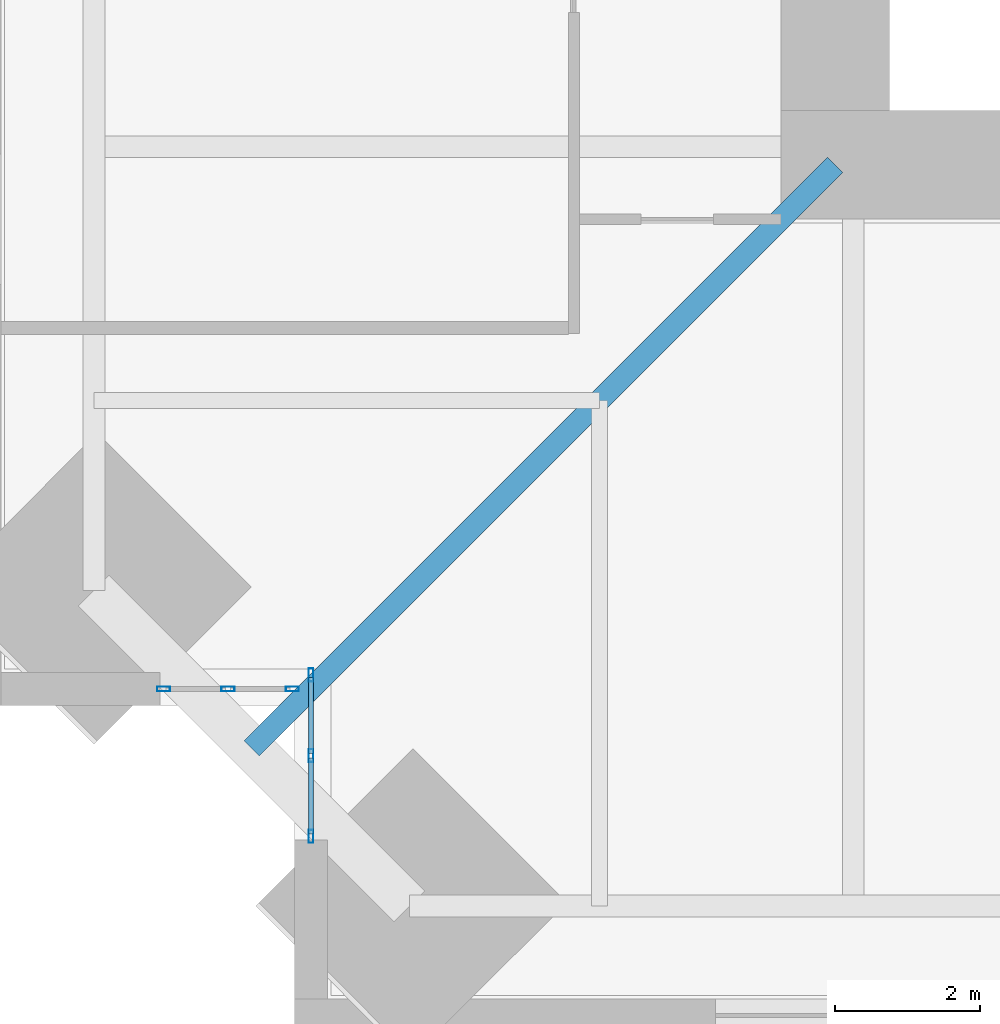
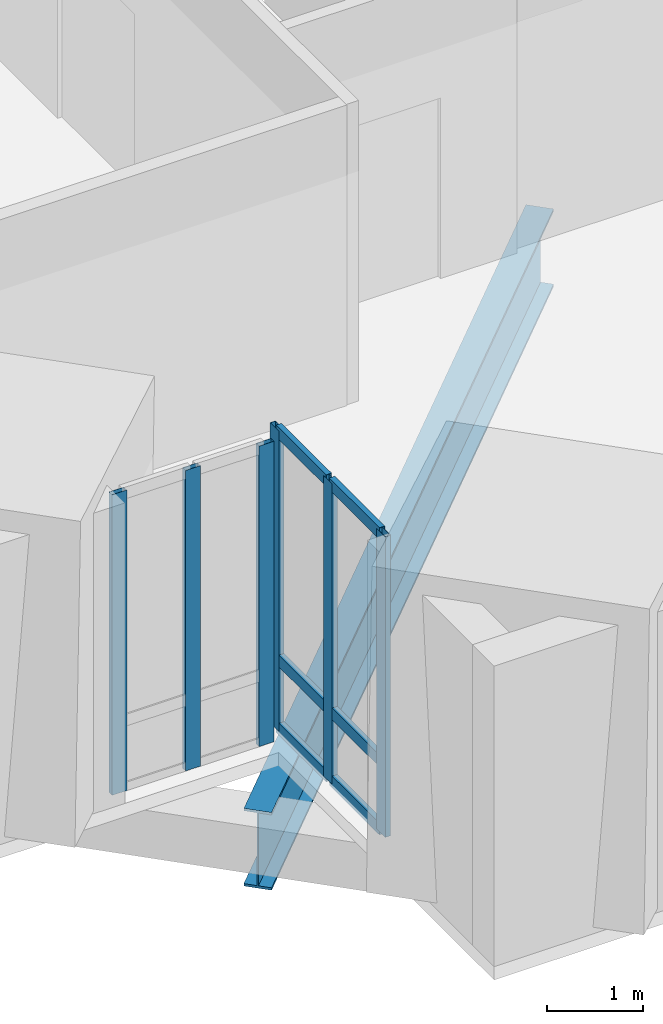
# One storey, part 2 of 15: 12 members, 1 beam, 2 elements without a shape of their own.
"""IFC4 building model written with IfcOpenShell, lengths in metres."""

import ifcopenshell
import ifcopenshell.guid

model = None  # the IFC model being written
_history = None  # IfcOwnerHistory: only IFC2X3 demands one
_inside = {}  # id of a spatial element -> (the spatial element, [elements in it])
_under = {}  # id of a project, library or spatial element -> (it, [spatial elements below it])
_declared = {}  # id of a project -> (the project, [libraries it declares])
_typed = {}  # id of a type object -> (the type object, [elements of that type])
_made_of = {}  # id of a material, layer set ... -> (it, [elements and type objects made of it])


def new_model(schema):
    """Start an empty IFC model of exactly this schema.

    Asked for "IFC4X3", IfcOpenShell would pick the latest addendum, in which some entities
    have other attributes; the version numbers below select the first issue.
    IFC2X3 requires an IfcOwnerHistory on every rooted entity: one is made here for all.
    """
    global model, _history
    if schema == "IFC4X3":
        model = ifcopenshell.file(schema_version=(4, 3, 0, 0))
    else:
        model = ifcopenshell.file(schema=schema)
    _inside.clear()
    _under.clear()
    _declared.clear()
    _typed.clear()
    _made_of.clear()
    _history = None
    if model.schema == "IFC2X3":
        org = make("IfcOrganization", Name="unknown")
        user = make(
            "IfcPersonAndOrganization",
            ThePerson=make("IfcPerson", FamilyName="unknown"),
            TheOrganization=org,
        )
        app = make(
            "IfcApplication",
            ApplicationDeveloper=org,
            Version="unknown",
            ApplicationFullName="unknown",
            ApplicationIdentifier="unknown",
        )
        _history = make(
            "IfcOwnerHistory",
            OwningUser=user,
            OwningApplication=app,
            ChangeAction="ADDED",
            CreationDate=0,
        )
    return model


def make(cls, **values):
    """One entity of the class cls with the attributes given. An attribute that is None is left unset."""
    return model.create_entity(
        cls, **{name: value for name, value in values.items() if value is not None}
    )


def rooted(cls, **values):
    """An entity with a GlobalId (a new one), such as an element, a storey or a relation."""
    return make(cls, GlobalId=ifcopenshell.guid.new(), OwnerHistory=_history, **values)


def si_unit(unit_type, name, prefix=None):
    """IfcSIUnit, for example si_unit("LENGTHUNIT", "METRE", prefix="MILLI")."""
    return make("IfcSIUnit", UnitType=unit_type, Prefix=prefix, Name=name)


def assignment(units):
    """IfcUnitAssignment: the units of a project."""
    return None if units is None else make("IfcUnitAssignment", Units=units)


def point(xyz):
    """IfcCartesianPoint."""
    return None if xyz is None else make("IfcCartesianPoint", Coordinates=xyz)


def direction(xyz):
    """IfcDirection."""
    return None if xyz is None else make("IfcDirection", DirectionRatios=xyz)


def frame(location, z_axis=None, x_axis=None):
    """IfcAxis2Placement3D, a coordinate frame: its origin and axes. An axis left out is left unset."""
    return make(
        "IfcAxis2Placement3D",
        Location=point(location),
        Axis=direction(z_axis),
        RefDirection=direction(x_axis),
    )


def frame_2d(location, x_axis=None):
    """IfcAxis2Placement2D, a coordinate frame in the plane: its origin and x axis."""
    return make(
        "IfcAxis2Placement2D", Location=point(location), RefDirection=direction(x_axis)
    )


def origin():
    """The frame at (0, 0, 0) with its axes left unset."""
    return frame((0.0, 0.0, 0.0))


def origin_2d():
    """The frame at (0, 0) in the plane with its x axis left unset."""
    return frame_2d((0.0, 0.0))


def place(relative_to, where):
    """IfcLocalPlacement: puts the frame where relative to a parent placement (None: the world)."""
    return make(
        "IfcLocalPlacement", PlacementRelTo=relative_to, RelativePlacement=where
    )


def context(
    kind, dimensions, precision=None, world=None, true_north=None, identifier=None
):
    """IfcGeometricRepresentationContext, for example the 3D "Model" context."""
    return make(
        "IfcGeometricRepresentationContext",
        ContextIdentifier=identifier,
        ContextType=kind,
        CoordinateSpaceDimension=dimensions,
        Precision=precision,
        WorldCoordinateSystem=world,
        TrueNorth=true_north,
    )


def subcontext(parent, identifier, kind, view, scale=None):
    """IfcGeometricRepresentationSubContext, for example "Body" below "Model"."""
    return make(
        "IfcGeometricRepresentationSubContext",
        ContextIdentifier=identifier,
        ContextType=kind,
        ParentContext=parent,
        TargetScale=scale,
        TargetView=view,
    )


def project(units=None, contexts=None):
    """IfcProject with its units and contexts."""
    return rooted(
        "IfcProject",
        Name="project",
        RepresentationContexts=contexts,
        UnitsInContext=assignment(units),
    )


def spatial(cls, under=None, at=None, **own):
    """A site, building, storey or space (cls), placed at a placement, below another one or the project."""
    s = rooted(cls, ObjectPlacement=at, **own)
    if under is not None:
        _under.setdefault(under.id(), (under, []))[1].append(s)
    return s


def profile(cls, at=None, kind="AREA", **sizes):
    """A parametric profile (cls). Its sizes go by their IFC names, for example OverallWidth=200.0."""
    return make(cls, ProfileType=kind, Position=at, **sizes)


def hollow_rectangle(**sizes):
    """IfcRectangleHollowProfileDef."""
    return profile("IfcRectangleHollowProfileDef", **sizes)


def i_section(**sizes):
    """IfcIShapeProfileDef."""
    return profile("IfcIShapeProfileDef", **sizes)


def extrude(swept, where, along, depth):
    """IfcExtrudedAreaSolid: the profile swept, set in the frame where, extruded along a direction by depth."""
    return make(
        "IfcExtrudedAreaSolid",
        SweptArea=swept,
        Position=where,
        ExtrudedDirection=direction(along),
        Depth=depth,
    )


def shape(context_of_items, identifier, shape_type, items):
    """IfcShapeRepresentation: the items that make up one representation, for example the "Body"."""
    return make(
        "IfcShapeRepresentation",
        ContextOfItems=context_of_items,
        RepresentationIdentifier=identifier,
        RepresentationType=shape_type,
        Items=items,
    )


def material(Name=None, Category=None):
    """IfcMaterial."""
    return make("IfcMaterial", Name=Name, Category=Category)


def material_profile(
    of_material, cross_section, Name=None, Category=None, Priority=None
):
    """IfcMaterialProfile: a cross section and its material."""
    return make(
        "IfcMaterialProfile",
        Name=Name,
        Material=of_material,
        Profile=cross_section,
        Priority=Priority,
        Category=Category,
    )


def profile_set(profiles, Name=None, composite=None):
    """IfcMaterialProfileSet."""
    return make(
        "IfcMaterialProfileSet",
        Name=Name,
        MaterialProfiles=profiles,
        CompositeProfile=composite,
    )


def made_of(thing, what):
    """Note that an element or type object is made of a material, layer set ...; save() writes the relation."""
    if what is not None:
        _made_of.setdefault(what.id(), (what, []))[1].append(thing)
    return thing


def type_object(cls, material=None, **own):
    """A type object (cls), such as IfcWallType, which elements share."""
    return made_of(rooted(cls, **own), material)


def element(
    cls,
    number,
    at=None,
    inside=None,
    cuts=None,
    type_object=None,
    material=None,
    context=None,
    identifier="Body",
    shape_type=None,
    held_by="IfcProductDefinitionShape",
    body=None,
    shapes=None,
    **own,
):
    """One element of the class cls, such as IfcWall. Its Tag is "e" and its number.

    at: its placement. inside: the storey or other place that contains it. cuts: it is an
    opening in that element (IfcRelVoidsElement). A single representation is given by context,
    identifier, shape_type and body (its items); several are given by shapes. held_by: the class
    of the entity that holds the representations. save() writes the other relations.
    """
    e = rooted(cls, Tag="e%d" % number, ObjectPlacement=at, **own)
    if body is not None:
        shapes = [shape(context, identifier, shape_type, body)]
    if shapes is not None:
        e.Representation = make(held_by, Representations=shapes)
    if inside is not None:
        _inside.setdefault(inside.id(), (inside, []))[1].append(e)
    if cuts is not None:
        rooted(
            "IfcRelVoidsElement", RelatingBuildingElement=cuts, RelatedOpeningElement=e
        )
    if type_object is not None:
        _typed.setdefault(type_object.id(), (type_object, []))[1].append(e)
    return made_of(e, material)


def aggregate(whole, parts):
    """IfcRelAggregates: a whole, such as a stair, and the parts it consists of."""
    return rooted("IfcRelAggregates", RelatingObject=whole, RelatedObjects=parts)


def save(model, path):
    """Write the relations noted so far, then the file.

    IfcRelAggregates (storeys below a building ...), IfcRelContainedInSpatialStructure (elements
    in a storey), IfcRelDefinesByType, IfcRelAssociatesMaterial and IfcRelDeclares: one each for
    every whole, place, type object, material and project.
    """
    for whole, parts in _under.values():
        aggregate(whole, parts)
    for where, things in _inside.values():
        rooted(
            "IfcRelContainedInSpatialStructure",
            RelatedElements=things,
            RelatingStructure=where,
        )
    for kind, things in _typed.values():
        rooted("IfcRelDefinesByType", RelatedObjects=things, RelatingType=kind)
    for what, things in _made_of.values():
        rooted("IfcRelAssociatesMaterial", RelatedObjects=things, RelatingMaterial=what)
    for by, libraries in _declared.values():
        rooted("IfcRelDeclares", RelatingContext=by, RelatedDefinitions=libraries)
    model.write(path)


model = new_model("IFC4")

# Units and contexts
model_context = context("Model", 3, precision=1e-05, world=origin(), true_north=direction((0.0, 1.0)))
body_context = subcontext(model_context, "Body", "Model", "MODEL_VIEW")
ifc_project = project(units=[si_unit("LENGTHUNIT", "METRE"), si_unit("AREAUNIT", "SQUARE_METRE"), si_unit("VOLUMEUNIT", "CUBIC_METRE"), si_unit("PLANEANGLEUNIT", "RADIAN"), si_unit("MASSUNIT", "GRAM", prefix="KILO")], contexts=[model_context])

# Site, building, storey
site_placement = place(None, origin())
site = spatial("IfcSite", under=ifc_project, at=site_placement, CompositionType="ELEMENT")
building_placement = place(site_placement, origin())
building = spatial("IfcBuilding", under=site, at=building_placement, Name="Peilmerk Tower", CompositionType="ELEMENT")
storey_placement = place(building_placement, frame((0.0, 0.0, 233.800048828125)))
storey = spatial("IfcBuildingStorey", under=building, at=storey_placement, Name="L51", CompositionType="ELEMENT", Elevation=233.800048828125)

# Beam
ifc_material_1 = material(Name="Steel S355", Category="steel")
ifc_material_profile_1 = material_profile(ifc_material_1, i_section(OverallWidth=0.300048828125, OverallDepth=0.989990234375, WebThickness=0.0166015625, FlangeThickness=0.031005859375, at=origin_2d()), Name="HEA 1000")
ifc_profile_set_1 = profile_set([ifc_material_profile_1], Name="Steel S355")
beam_type = type_object("IfcBeamType", Name="B14 HEA 1000 floor girder", PredefinedType="BEAM", material=ifc_profile_set_1)
beam_placement = place(storey_placement, frame((-11.25, -11.25, -0.6650390625), z_axis=(-0.707106781187, -0.707106781187, 0.0), x_axis=(0.707106781187, -0.707106781187, 0.0)))
element("IfcBeam", 1, at=beam_placement, inside=storey, type_object=beam_type, Name="Corner girder L51", PredefinedType="BEAM", context=body_context, shape_type="SweptSolid", body=[
    extrude(i_section(OverallWidth=0.300048828125, OverallDepth=0.989990234375, WebThickness=0.0166015625, FlangeThickness=0.031005859375, at=origin_2d()), origin(), (0.0, 0.0, 1.0), 11.37646484375),
])

# Curtain wall, members
ifc_material_2 = material(Name="Aluminium stick curtain wall", Category="aluminium")
curtain_wall_type = type_object("IfcCurtainWallType", Name="CW4 stick curtain wall, 2250 module", PredefinedType="NOTDEFINED", material=ifc_material_2)
curtain_wall_1_placement = place(storey_placement, origin())
curtain_wall_1 = element("IfcCurtainWall", 2, at=curtain_wall_1_placement, inside=storey, type_object=curtain_wall_type, Name="Curtain wall CW4 SWA L51", PredefinedType="NOTDEFINED")
ifc_material_3 = material(Name="Aluminium EN AW-6063 T6", Category="aluminium")
ifc_material_profile_2 = material_profile(ifc_material_3, hollow_rectangle(XDim=0.06494140625, YDim=0.179931640625, WallThickness=0.0029296875, at=origin_2d()), Name="AL 180x65x3")
ifc_profile_set_2 = profile_set([ifc_material_profile_2], Name="Aluminium EN AW-6063 T6")
member_type_1 = type_object("IfcMemberType", Name="CW4-M AL 180x65x3 mullion", PredefinedType="MULLION", material=ifc_profile_set_2)
member_1_placement = place(storey_placement, frame((-18.47509765625, -18.282470703125, 0.0), z_axis=(0.0, 0.0, 1.0), x_axis=(1.0, 0.0, 0.0)))
member_1 = element("IfcMember", 3, at=member_1_placement, type_object=member_type_1, Name="CW4 mullion 1", PredefinedType="MULLION", context=body_context, shape_type="SweptSolid", body=[
    extrude(hollow_rectangle(XDim=0.06494140625, YDim=0.179931640625, WallThickness=0.0029296875, at=origin_2d()), origin(), (0.0, 0.0, 1.0), 3.829833984375),
])
member_2_placement = place(storey_placement, frame((-18.47509765625, -19.394287109375, 0.0), z_axis=(0.0, 0.0, 1.0), x_axis=(1.0, 0.0, 0.0)))
member_2 = element("IfcMember", 4, at=member_2_placement, type_object=member_type_1, Name="CW4 mullion 2", PredefinedType="MULLION", context=body_context, shape_type="SweptSolid", body=[
    extrude(hollow_rectangle(XDim=0.06494140625, YDim=0.179931640625, WallThickness=0.0029296875, at=origin_2d()), origin(), (0.0, 0.0, 1.0), 3.829833984375),
])
member_3_placement = place(storey_placement, frame((-18.47509765625, -20.506103515625, 0.0), z_axis=(0.0, 0.0, 1.0), x_axis=(1.0, 0.0, 0.0)))
member_3 = element("IfcMember", 5, at=member_3_placement, type_object=member_type_1, Name="CW4 mullion 3", PredefinedType="MULLION", context=body_context, shape_type="SweptSolid", body=[
    extrude(hollow_rectangle(XDim=0.06494140625, YDim=0.179931640625, WallThickness=0.0029296875, at=origin_2d()), origin(), (0.0, 0.0, 1.0), 3.829833984375),
])

curtain_wall_2_placement = place(storey_placement, origin())
curtain_wall_2 = element("IfcCurtainWall", 6, at=curtain_wall_2_placement, inside=storey, type_object=curtain_wall_type, Name="Curtain wall CW4 SWB L51", PredefinedType="NOTDEFINED")
member_4_placement = place(storey_placement, frame((-18.732421875, -18.47509765625, 0.0), z_axis=(0.0, 0.0, 1.0), x_axis=(0.0, -1.0, 0.0)))
member_4 = element("IfcMember", 7, at=member_4_placement, type_object=member_type_1, Name="CW4 mullion 1", PredefinedType="MULLION", context=body_context, shape_type="SweptSolid", body=[
    extrude(hollow_rectangle(XDim=0.06494140625, YDim=0.179931640625, WallThickness=0.0029296875, at=origin_2d()), origin(), (0.0, 0.0, 1.0), 3.829833984375),
])
member_5_placement = place(storey_placement, frame((-19.619384765625, -18.47509765625, 0.0), z_axis=(0.0, 0.0, 1.0), x_axis=(0.0, -1.0, 0.0)))
member_5 = element("IfcMember", 8, at=member_5_placement, type_object=member_type_1, Name="CW4 mullion 2", PredefinedType="MULLION", context=body_context, shape_type="SweptSolid", body=[
    extrude(hollow_rectangle(XDim=0.06494140625, YDim=0.179931640625, WallThickness=0.0029296875, at=origin_2d()), origin(), (0.0, 0.0, 1.0), 3.829833984375),
])
member_6_placement = place(storey_placement, frame((-20.506103515625, -18.47509765625, 0.0), z_axis=(0.0, 0.0, 1.0), x_axis=(0.0, -1.0, 0.0)))
member_6 = element("IfcMember", 9, at=member_6_placement, type_object=member_type_1, Name="CW4 mullion 3", PredefinedType="MULLION", context=body_context, shape_type="SweptSolid", body=[
    extrude(hollow_rectangle(XDim=0.06494140625, YDim=0.179931640625, WallThickness=0.0029296875, at=origin_2d()), origin(), (0.0, 0.0, 1.0), 3.829833984375),
])
aggregate(curtain_wall_2, [member_4, member_5, member_6])

# Member
ifc_material_profile_3 = material_profile(ifc_material_3, hollow_rectangle(XDim=0.06494140625, YDim=0.14990234375, WallThickness=0.0029296875, at=origin_2d()), Name="AL 150x65x3")
ifc_profile_set_3 = profile_set([ifc_material_profile_3], Name="Aluminium EN AW-6063 T6")
member_type_2 = type_object("IfcMemberType", Name="CW4-T AL 150x65x3 transom", PredefinedType="USERDEFINED", material=ifc_profile_set_3)
member_7_placement = place(storey_placement, frame((-18.47509765625, -18.31494140625, 0.032470703125), z_axis=(0.0, -1.0, 0.0), x_axis=(1.0, 0.0, 0.0)))
member_7 = element("IfcMember", 10, at=member_7_placement, type_object=member_type_2, Name="CW4 transom 1.1", ObjectType="TRANSOM", PredefinedType="USERDEFINED", context=body_context, shape_type="SweptSolid", body=[
    extrude(hollow_rectangle(XDim=0.06494140625, YDim=0.14990234375, WallThickness=0.0029296875, at=origin_2d()), origin(), (0.0, 0.0, 1.0), 1.046875),
])

member_8_placement = place(storey_placement, frame((-18.47509765625, -18.31494140625, 0.89990234375), z_axis=(0.0, -1.0, 0.0), x_axis=(1.0, 0.0, 0.0)))
member_8 = element("IfcMember", 11, at=member_8_placement, type_object=member_type_2, Name="CW4 transom 1.2", ObjectType="TRANSOM", PredefinedType="USERDEFINED", context=body_context, shape_type="SweptSolid", body=[
    extrude(hollow_rectangle(XDim=0.06494140625, YDim=0.14990234375, WallThickness=0.0029296875, at=origin_2d()), origin(), (0.0, 0.0, 1.0), 1.046875),
])

member_9_placement = place(storey_placement, frame((-18.47509765625, -18.31494140625, 3.79736328125), z_axis=(0.0, -1.0, 0.0), x_axis=(1.0, 0.0, 0.0)))
member_9 = element("IfcMember", 12, at=member_9_placement, type_object=member_type_2, Name="CW4 transom 1.3", ObjectType="TRANSOM", PredefinedType="USERDEFINED", context=body_context, shape_type="SweptSolid", body=[
    extrude(hollow_rectangle(XDim=0.06494140625, YDim=0.14990234375, WallThickness=0.0029296875, at=origin_2d()), origin(), (0.0, 0.0, 1.0), 1.046875),
])

member_10_placement = place(storey_placement, frame((-18.47509765625, -19.4267578125, 0.032470703125), z_axis=(0.0, -1.0, 0.0), x_axis=(1.0, 0.0, 0.0)))
member_10 = element("IfcMember", 13, at=member_10_placement, type_object=member_type_2, Name="CW4 transom 2.1", ObjectType="TRANSOM", PredefinedType="USERDEFINED", context=body_context, shape_type="SweptSolid", body=[
    extrude(hollow_rectangle(XDim=0.06494140625, YDim=0.14990234375, WallThickness=0.0029296875, at=origin_2d()), origin(), (0.0, 0.0, 1.0), 1.046875),
])

member_11_placement = place(storey_placement, frame((-18.47509765625, -19.4267578125, 0.89990234375), z_axis=(0.0, -1.0, 0.0), x_axis=(1.0, 0.0, 0.0)))
member_11 = element("IfcMember", 14, at=member_11_placement, type_object=member_type_2, Name="CW4 transom 2.2", ObjectType="TRANSOM", PredefinedType="USERDEFINED", context=body_context, shape_type="SweptSolid", body=[
    extrude(hollow_rectangle(XDim=0.06494140625, YDim=0.14990234375, WallThickness=0.0029296875, at=origin_2d()), origin(), (0.0, 0.0, 1.0), 1.046875),
])

member_12_placement = place(storey_placement, frame((-18.47509765625, -19.4267578125, 3.79736328125), z_axis=(0.0, -1.0, 0.0), x_axis=(1.0, 0.0, 0.0)))
member_12 = element("IfcMember", 15, at=member_12_placement, type_object=member_type_2, Name="CW4 transom 2.3", ObjectType="TRANSOM", PredefinedType="USERDEFINED", context=body_context, shape_type="SweptSolid", body=[
    extrude(hollow_rectangle(XDim=0.06494140625, YDim=0.14990234375, WallThickness=0.0029296875, at=origin_2d()), origin(), (0.0, 0.0, 1.0), 1.046875),
])

aggregate(curtain_wall_1, [member_1, member_2, member_3, member_7, member_8, member_9, member_10, member_11, member_12])

save(model, "model.ifc")
